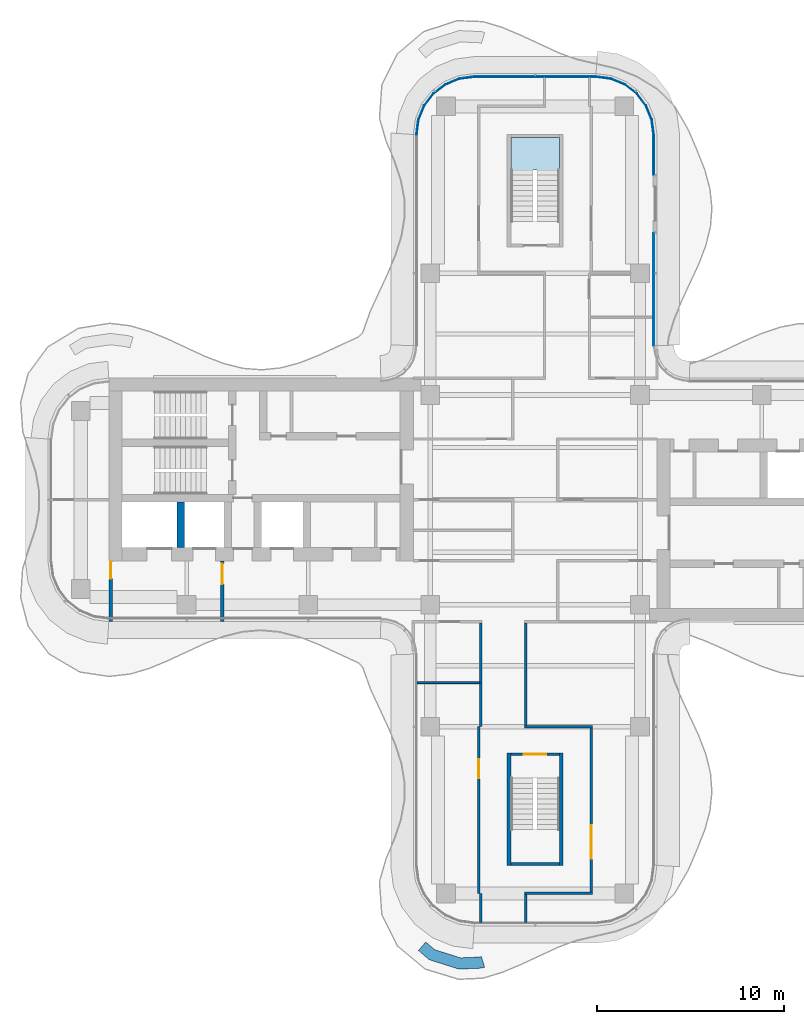
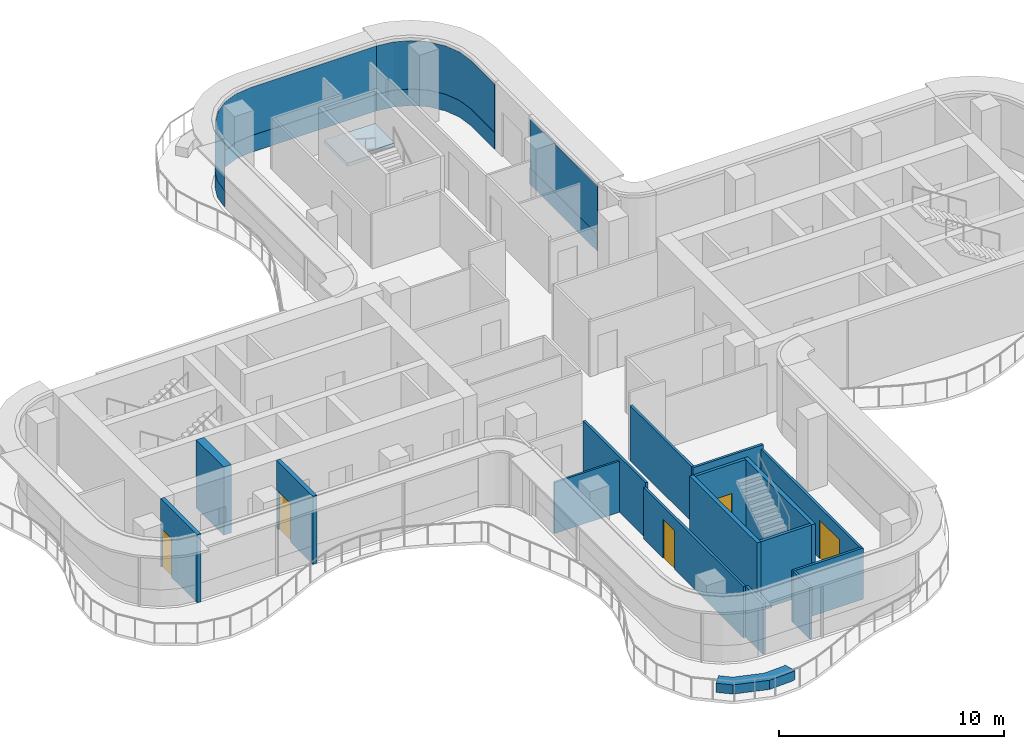
# One storey, part 10 of 15: 17 walls, 6 plates, 5 doors, 1 slab, 5 openings, 4 elements without a shape of their own.
"""IFC4 building model written with IfcOpenShell, lengths in metres."""

from ifc_helpers import new_model, si_unit, direction, frame, frame_2d, origin, place, context, subcontext, project, spatial, polyline, rectangle, outline, extrude, source, transform, mapped, material, layer, layer_set, type_object, element, fill, aggregate, save


model = new_model("IFC4")

# Units and contexts
model_context = context("Model", 3, precision=1e-05, world=origin(), true_north=direction((0.0, 1.0)))
body_context = subcontext(model_context, "Body", "Model", "MODEL_VIEW")
ifc_project = project(units=[si_unit("LENGTHUNIT", "METRE"), si_unit("AREAUNIT", "SQUARE_METRE"), si_unit("VOLUMEUNIT", "CUBIC_METRE"), si_unit("PLANEANGLEUNIT", "RADIAN"), si_unit("MASSUNIT", "GRAM", prefix="KILO")], contexts=[model_context])

# Site, building, storey
site_placement = place(None, origin())
site = spatial("IfcSite", under=ifc_project, at=site_placement, CompositionType="ELEMENT")
building_placement = place(site_placement, origin())
building = spatial("IfcBuilding", under=site, at=building_placement, Name="Trellis Farm Tower", CompositionType="ELEMENT")
storey_placement = place(building_placement, frame((0.0, 0.0, 287.199951171875)))
storey = spatial("IfcBuildingStorey", under=building, at=storey_placement, Name="L64", CompositionType="ELEMENT", Elevation=287.199951171875)

# Stair, slab
ifc_material_1 = material(Name="Concrete C50/60", Category="concrete")
stair_type = type_object("IfcStairType", Name="CORE EXIT STAIR 22 RISERS 177 MM", PredefinedType="HALF_TURN_STAIR", material=ifc_material_1)
placement_1 = place(storey_placement, origin())
stair = element("IfcStair", 1, at=placement_1, inside=storey, type_object=stair_type, Name="Exit stair N", PredefinedType="HALF_TURN_STAIR")
ifc_layer_1 = layer(ifc_material_1, 0.18994140625)
ifc_layer_set_1 = layer_set([ifc_layer_1], Name="CORE STAIR LANDING 190 CONCRETE C50/60")
slab_type = type_object("IfcSlabType", Name="CORE STAIR LANDING 190 CONCRETE C50/60", PredefinedType="LANDING", material=ifc_layer_set_1)
shared_shape_1 = source(origin(), body_context, "Body", "SweptSolid", [
    extrude(outline(polyline([(-0.10009765625, 17.27197265625), (-1.300048828125, 17.27197265625), (-1.300048828125, 17.60009765625), (-1.300048828125, 19.35009765625), (1.300048828125, 19.35009765625), (1.300048828125, 17.60009765625), (1.300048828125, 17.590087890625), (0.10009765625, 17.590087890625), (0.10009765625, 17.60009765625), (-0.10009765625, 17.60009765625), (-0.10009765625, 17.27197265625)])), origin(), (0.0, 0.0, 1.0), 0.18994140625),
])
slab_placement = place(storey_placement, frame((0.0, 0.0, 1.760009765625)))
slab = element("IfcSlab", 2, at=slab_placement, type_object=slab_type, Name="STN landing 1", PredefinedType="LANDING", context=body_context, shape_type="MappedRepresentation", body=[
    mapped(shared_shape_1, transform((0.0, 0.0, 0.0))),
])
aggregate(stair, [slab])

# Curtain wall, plates
ifc_material_2 = material(Name="Aluminium and glass curtain wall", Category="aluminium")
ifc_layer_2 = layer(ifc_material_2, 0.18994140625)
ifc_layer_set_2 = layer_set([ifc_layer_2], Name="RIBBON CURTAIN WALL CW1")
curtain_wall_type = type_object("IfcCurtainWallType", Name="RIBBON CURTAIN WALL CW1", PredefinedType="NOTDEFINED", material=ifc_layer_set_2)
curtain_wall_1 = element("IfcCurtainWall", 3, at=placement_1, inside=storey, type_object=curtain_wall_type, Name="CW1 010", PredefinedType="NOTDEFINED")
ifc_material_3 = material(Name="Clear insulated glass", Category="glass")
ifc_layer_3 = layer(ifc_material_3, 0.0400390625)
ifc_layer_set_3 = layer_set([ifc_layer_3], Name="CW1 GLASS PANEL 40")
plate_type_1 = type_object("IfcPlateType", Name="CW1 GLASS PANEL 40", PredefinedType="CURTAIN_PANEL", material=ifc_layer_set_3)
shared_shape_2 = source(origin(), body_context, "Body", "SweptSolid", [
    extrude(outline(polyline([(3.240234375, 22.60009765625), (-3.240234375, 22.60009765625), (-4.052001953125, 22.4931640625), (-4.79931640625, 22.18359375), (-5.441162109375, 21.691162109375), (-5.93359375, 21.04931640625), (-6.2431640625, 20.302001953125), (-6.35009765625, 19.490234375), (-6.31005859375, 19.487548828125), (-6.2041015625, 20.29150390625), (-5.898681640625, 21.029296875), (-5.41259765625, 21.66259765625), (-4.779296875, 22.148681640625), (-4.04150390625, 22.4541015625), (-3.237548828125, 22.56005859375), (3.237548828125, 22.56005859375), (3.240234375, 22.60009765625)])), origin(), (0.0, 0.0, 1.0), 2.619873046875),
])
placement_2 = place(storey_placement, frame((0.0, 0.0, 0.900146484375)))
plate_1 = element("IfcPlate", 4, at=placement_2, type_object=plate_type_1, Name="PL1 010", PredefinedType="CURTAIN_PANEL", context=body_context, shape_type="MappedRepresentation", body=[
    mapped(shared_shape_2, transform((0.0, 0.0, 0.0))),
])
ifc_material_4 = material(Name="Sandstone faced insulated panel", Category="masonry")
ifc_layer_4 = layer(ifc_material_4, 0.050048828125)
ifc_layer_set_4 = layer_set([ifc_layer_4], Name="CW1 STONE SPANDREL PANEL 50")
plate_type_2 = type_object("IfcPlateType", Name="CW1 STONE SPANDREL PANEL 50", PredefinedType="CURTAIN_PANEL", material=ifc_layer_set_4)
shared_shape_3 = source(origin(), body_context, "Body", "SweptSolid", [
    extrude(outline(polyline([(3.240234375, 22.60009765625), (-3.240234375, 22.60009765625), (-4.052001953125, 22.4931640625), (-4.79931640625, 22.18359375), (-5.441162109375, 21.691162109375), (-5.93359375, 21.04931640625), (-6.2431640625, 20.302001953125), (-6.35009765625, 19.490234375), (-6.300048828125, 19.48681640625), (-6.1943359375, 20.2890625), (-5.889892578125, 21.024169921875), (-5.405517578125, 21.655517578125), (-4.774169921875, 22.139892578125), (-4.0390625, 22.4443359375), (-3.23681640625, 22.550048828125), (3.23681640625, 22.550048828125), (3.240234375, 22.60009765625)])), origin(), (0.0, 0.0, 1.0), 0.900146484375),
])
plate_2 = element("IfcPlate", 5, at=placement_1, type_object=plate_type_2, Name="PS1 010", PredefinedType="CURTAIN_PANEL", context=body_context, shape_type="MappedRepresentation", body=[
    mapped(shared_shape_3, transform((0.0, 0.0, 0.0))),
])
aggregate(curtain_wall_1, [plate_1, plate_2])

curtain_wall_2 = element("IfcCurtainWall", 6, at=placement_1, inside=storey, type_object=curtain_wall_type, Name="CW1 008", PredefinedType="NOTDEFINED")
shared_shape_4 = source(origin(), body_context, "Body", "SweptSolid", [
    extrude(outline(polyline([(6.35009765625, 8.2265625), (6.35009765625, 14.239990234375), (6.31005859375, 14.239990234375), (6.31005859375, 8.22509765625), (6.35009765625, 8.2265625)])), origin(), (0.0, 0.0, 1.0), 2.619873046875),
])
plate_3 = element("IfcPlate", 7, at=placement_2, type_object=plate_type_1, Name="PL1 008", PredefinedType="CURTAIN_PANEL", context=body_context, shape_type="MappedRepresentation", body=[
    mapped(shared_shape_4, transform((0.0, 0.0, 0.0))),
])
shared_shape_5 = source(origin(), body_context, "Body", "SweptSolid", [
    extrude(outline(polyline([(6.35009765625, 8.2265625), (6.35009765625, 14.239990234375), (6.300048828125, 14.239990234375), (6.300048828125, 8.224853515625), (6.35009765625, 8.2265625)])), origin(), (0.0, 0.0, 1.0), 0.900146484375),
])
plate_4 = element("IfcPlate", 8, at=placement_1, type_object=plate_type_2, Name="PS1 008", PredefinedType="CURTAIN_PANEL", context=body_context, shape_type="MappedRepresentation", body=[
    mapped(shared_shape_5, transform((0.0, 0.0, 0.0))),
])
aggregate(curtain_wall_2, [plate_3, plate_4])

curtain_wall_3 = element("IfcCurtainWall", 9, at=placement_1, inside=storey, type_object=curtain_wall_type, Name="CW1 009", PredefinedType="NOTDEFINED")
shared_shape_6 = source(origin(), body_context, "Body", "SweptSolid", [
    extrude(outline(polyline([(6.35009765625, 17.360107421875), (6.35009765625, 19.490234375), (6.2431640625, 20.302001953125), (5.93359375, 21.04931640625), (5.441162109375, 21.691162109375), (4.79931640625, 22.18359375), (4.052001953125, 22.4931640625), (3.240234375, 22.60009765625), (3.237548828125, 22.56005859375), (4.04150390625, 22.4541015625), (4.779296875, 22.148681640625), (5.41259765625, 21.66259765625), (5.898681640625, 21.029296875), (6.2041015625, 20.29150390625), (6.31005859375, 19.487548828125), (6.31005859375, 17.360107421875), (6.35009765625, 17.360107421875)])), origin(), (0.0, 0.0, 1.0), 2.619873046875),
])
plate_5 = element("IfcPlate", 10, at=placement_2, type_object=plate_type_1, Name="PL1 009", PredefinedType="CURTAIN_PANEL", context=body_context, shape_type="MappedRepresentation", body=[
    mapped(shared_shape_6, transform((0.0, 0.0, 0.0))),
])
shared_shape_7 = source(origin(), body_context, "Body", "SweptSolid", [
    extrude(outline(polyline([(6.35009765625, 17.360107421875), (6.35009765625, 19.490234375), (6.2431640625, 20.302001953125), (5.93359375, 21.04931640625), (5.441162109375, 21.691162109375), (4.79931640625, 22.18359375), (4.052001953125, 22.4931640625), (3.240234375, 22.60009765625), (3.23681640625, 22.550048828125), (4.0390625, 22.4443359375), (4.774169921875, 22.139892578125), (5.405517578125, 21.655517578125), (5.889892578125, 21.024169921875), (6.1943359375, 20.2890625), (6.300048828125, 19.48681640625), (6.300048828125, 17.360107421875), (6.35009765625, 17.360107421875)])), origin(), (0.0, 0.0, 1.0), 0.900146484375),
])
plate_6 = element("IfcPlate", 11, at=placement_1, type_object=plate_type_2, Name="PS1 009", PredefinedType="CURTAIN_PANEL", context=body_context, shape_type="MappedRepresentation", body=[
    mapped(shared_shape_7, transform((0.0, 0.0, 0.0))),
])
aggregate(curtain_wall_3, [plate_5, plate_6])

# Walls
ifc_material_5 = material(Name="Sandstone faced masonry planter", Category="masonry")
ifc_layer_5 = layer(ifc_material_5, 0.60009765625)
ifc_layer_set_5 = layer_set([ifc_layer_5], Name="PLANTER BED 600")
wall_type_1 = type_object("IfcWallType", Name="PLANTER BED 600", PredefinedType="USERDEFINED", material=ifc_layer_set_5)
element("IfcWall", 12, at=placement_1, inside=storey, type_object=wall_type_1, Name="PLANTER bed", ObjectType="PLANTER", PredefinedType="USERDEFINED", context=body_context, shape_type="SweptSolid", body=[
    extrude(outline(polyline([(-4.053466796875, -25.044189453125), (-5.646728515625, -24.541748046875), (-6.227783203125, -24.049072265625), (-5.83984375, -23.591552734375), (-5.35107421875, -24.005859375), (-3.974609375, -24.439697265625), (-2.96728515625, -24.393310546875), (-2.868408203125, -24.363037109375), (-2.693115234375, -24.93701171875), (-2.864013671875, -24.989013671875), (-4.053466796875, -25.044189453125)])), origin(), (0.0, 0.0, 1.0), 0.5),
])
ifc_layer_6 = layer(ifc_material_1, 0.39990234375)
ifc_layer_set_6 = layer_set([ifc_layer_6], Name="CORE INNER WALL 400 CONCRETE C50/60")
wall_type_2 = type_object("IfcWallType", Name="CORE INNER WALL 400 CONCRETE C50/60", PredefinedType="SHEAR", material=ifc_layer_set_6)
shared_shape_8 = source(origin(), body_context, "Body", "SweptSolid", [
    extrude(rectangle(XDim=2.449951171875, YDim=0.39990234375, at=frame_2d((1.22509765625, 0.0))), origin(), (0.0, 0.0, 1.0), 3.699951171875),
])
wall_2_placement = place(storey_placement, frame((-18.89990234375, -0.10009765625, 0.0), z_axis=(0.0, 0.0, 1.0), x_axis=(0.0, -1.0, 0.0)))
element("IfcWall", 13, at=wall_2_placement, inside=storey, type_object=wall_type_2, Name="Core wall", PredefinedType="SHEAR", context=body_context, shape_type="MappedRepresentation", body=[
    mapped(shared_shape_8, transform((0.0, 0.0, 0.0))),
])

# Wall, opening, door
ifc_material_6 = material(Name="Masonry blockwork", Category="masonry")
ifc_layer_7 = layer(ifc_material_6, 0.199951171875)
ifc_layer_set_7 = layer_set([ifc_layer_7], Name="FIRE LOBBY PARTITION 200 BLOCKWORK")
wall_type_3 = type_object("IfcWallType", Name="FIRE LOBBY PARTITION 200 BLOCKWORK", PredefinedType="PARTITIONING", material=ifc_layer_set_7)
shared_shape_9 = source(origin(), body_context, "Body", "SweptSolid", [
    extrude(rectangle(XDim=3.25, YDim=0.199951171875, at=frame_2d((1.625, 0.0))), origin(), (0.0, 0.0, 1.0), 3.699951171875),
])
wall_3_placement = place(storey_placement, frame((-16.699951171875, -3.25, 0.0), z_axis=(0.0, 0.0, 1.0), x_axis=(0.0, -1.0, 0.0)))
wall_3 = element("IfcWall", 14, at=wall_3_placement, inside=storey, type_object=wall_type_3, Name="Fire-fighting lobby partition", PredefinedType="PARTITIONING", context=body_context, shape_type="MappedRepresentation", body=[
    mapped(shared_shape_9, transform((0.0, 0.0, 0.0))),
])
shared_shape_10 = source(origin(), body_context, "Body", "SweptSolid", [
    extrude(rectangle(XDim=1.10009765625, YDim=2.10009765625, at=frame_2d((0.550048828125, 1.050048828125))), frame((0.0, 0.110107421875, 0.0), z_axis=(0.0, -1.0, 0.0), x_axis=(1.0, 0.0, 0.0)), (0.0, 0.0, 1.0), 0.22021484375),
])
opening_1_placement = place(wall_3_placement, frame((0.14990234375, 0.0, 0.0)))
opening_1 = element("IfcOpeningElement", 15, at=opening_1_placement, cuts=wall_3, Name="Opening DC93", PredefinedType="OPENING", context=body_context, shape_type="MappedRepresentation", body=[
    mapped(shared_shape_10, transform((0.0, 0.0, 0.0))),
])
ifc_material_7 = material(Name="Steel", Category="steel")
door_type_1 = type_object("IfcDoorType", Name="CORE FIRE DOOR 1100 X 2100", OperationType="NOTDEFINED", PredefinedType="DOOR", material=ifc_material_7)
shared_shape_11 = source(origin(), body_context, "Body", "SweptSolid", [
    extrude(rectangle(XDim=1.10009765625, YDim=2.10009765625, at=frame_2d((0.550048828125, 1.050048828125))), frame((0.0, 0.02490234375, 0.0), z_axis=(0.0, -1.0, 0.0), x_axis=(1.0, 0.0, 0.0)), (0.0, 0.0, 1.0), 0.050048828125),
])
door_1_placement = place(opening_1_placement, origin())
door_1 = element("IfcDoor", 16, at=door_1_placement, inside=storey, type_object=door_type_1, Name="Core door", OperationType="SINGLE_SWING_RIGHT", OverallHeight=2.10009765625, OverallWidth=1.10009765625, PredefinedType="DOOR", context=body_context, shape_type="MappedRepresentation", body=[
    mapped(shared_shape_11, transform((0.0, 0.0, 0.0))),
])
fill(opening_1, door_1)

wall_4_placement = place(storey_placement, frame((-22.64990234375, -3.25, 0.0), z_axis=(0.0, 0.0, 1.0), x_axis=(0.0, -1.0, 0.0)))
wall_4 = element("IfcWall", 17, at=wall_4_placement, inside=storey, type_object=wall_type_3, Name="Fire-fighting lobby partition", PredefinedType="PARTITIONING", context=body_context, shape_type="MappedRepresentation", body=[
    mapped(shared_shape_9, transform((0.0, 0.0, 0.0))),
])
shared_shape_12 = source(origin(), body_context, "Body", "SweptSolid", [
    extrude(rectangle(XDim=0.89990234375, YDim=2.10009765625, at=frame_2d((0.449951171875, 1.050048828125))), frame((0.0, 0.110107421875, 0.0), z_axis=(0.0, -1.0, 0.0), x_axis=(1.0, 0.0, 0.0)), (0.0, 0.0, 1.0), 0.22021484375),
])
opening_2_placement = place(wall_4_placement, frame((0.050048828125, 0.0, 0.0)))
opening_2 = element("IfcOpeningElement", 18, at=opening_2_placement, cuts=wall_4, Name="Opening DC94", PredefinedType="OPENING", context=body_context, shape_type="MappedRepresentation", body=[
    mapped(shared_shape_12, transform((0.0, 0.0, 0.0))),
])
door_type_2 = type_object("IfcDoorType", Name="CORE FIRE DOOR 900 X 2100", OperationType="NOTDEFINED", PredefinedType="DOOR", material=ifc_material_7)
shared_shape_13 = source(origin(), body_context, "Body", "SweptSolid", [
    extrude(rectangle(XDim=0.89990234375, YDim=2.10009765625, at=frame_2d((0.449951171875, 1.050048828125))), frame((0.0, 0.02490234375, 0.0), z_axis=(0.0, -1.0, 0.0), x_axis=(1.0, 0.0, 0.0)), (0.0, 0.0, 1.0), 0.050048828125),
])
door_2_placement = place(opening_2_placement, origin())
door_2 = element("IfcDoor", 19, at=door_2_placement, inside=storey, type_object=door_type_2, Name="Core door", OperationType="SINGLE_SWING_RIGHT", OverallHeight=2.10009765625, OverallWidth=0.89990234375, PredefinedType="DOOR", context=body_context, shape_type="MappedRepresentation", body=[
    mapped(shared_shape_13, transform((0.0, 0.0, 0.0))),
])
fill(opening_2, door_2)

# Walls
ifc_layer_8 = layer(ifc_material_1, 0.199951171875)
ifc_layer_set_8 = layer_set([ifc_layer_8], Name="CORE STAIR ENCLOSURE WALL 200 CONCRETE C50/60")
wall_type_4 = type_object("IfcWallType", Name="CORE STAIR ENCLOSURE WALL 200 CONCRETE C50/60", PredefinedType="SHEAR", material=ifc_layer_set_8)
shared_shape_14 = source(origin(), body_context, "Body", "SweptSolid", [
    extrude(rectangle(XDim=6.0, YDim=0.199951171875, at=frame_2d((3.0, 0.0))), origin(), (0.0, 0.0, 1.0), 3.699951171875),
])
for number, where, z_axis, x_axis, name in (
    (20, (1.39990234375, -13.5, 0.0), (0.0, 0.0, 1.0), (0.0, -1.0, 0.0), "Stair enclosure wall"),
    (21, (-1.39990234375, -13.5, 0.0), (0.0, 0.0, 1.0), (0.0, -1.0, 0.0), "Stair enclosure wall"),
):
    element("IfcWall", number, at=place(storey_placement, frame(where, z_axis=z_axis, x_axis=x_axis)), inside=storey, type_object=wall_type_4, Name=name, PredefinedType="SHEAR", context=body_context, shape_type="MappedRepresentation", body=[
        mapped(shared_shape_14, transform((0.0, 0.0, 0.0))),
    ])

# Wall, opening, door
ifc_layer_9 = layer(ifc_material_1, 0.14990234375)
ifc_layer_set_9 = layer_set([ifc_layer_9], Name="CORE STAIR ENCLOSURE WALL 150 CONCRETE C50/60")
wall_type_5 = type_object("IfcWallType", Name="CORE STAIR ENCLOSURE WALL 150 CONCRETE C50/60", PredefinedType="SHEAR", material=ifc_layer_set_9)
shared_shape_15 = source(origin(), body_context, "Body", "SweptSolid", [
    extrude(rectangle(XDim=2.60009765625, YDim=0.14990234375, at=frame_2d((1.300048828125, 0.0))), origin(), (0.0, 0.0, 1.0), 3.699951171875),
])
wall_5_placement = place(storey_placement, frame((1.300048828125, -13.574951171875, 0.0), z_axis=(0.0, 0.0, 1.0), x_axis=(-1.0, 0.0, 0.0)))
wall_5 = element("IfcWall", 22, at=wall_5_placement, inside=storey, type_object=wall_type_5, Name="Stair enclosure wall", PredefinedType="SHEAR", context=body_context, shape_type="MappedRepresentation", body=[
    mapped(shared_shape_15, transform((0.0, 0.0, 0.0))),
])
shared_shape_16 = source(origin(), body_context, "Body", "SweptSolid", [
    extrude(rectangle(XDim=1.199951171875, YDim=2.10009765625, at=frame_2d((0.60009765625, 1.050048828125))), frame((0.0, 0.0849609375, 0.0), z_axis=(0.0, -1.0, 0.0), x_axis=(1.0, 0.0, 0.0)), (0.0, 0.0, 1.0), 0.169921875),
])
opening_3_placement = place(wall_5_placement, frame((0.699951171875, 0.0, 0.0)))
opening_3 = element("IfcOpeningElement", 23, at=opening_3_placement, cuts=wall_5, Name="Opening DC174", PredefinedType="OPENING", context=body_context, shape_type="MappedRepresentation", body=[
    mapped(shared_shape_16, transform((0.0, 0.0, 0.0))),
])
door_type_3 = type_object("IfcDoorType", Name="CORE FIRE DOOR 1200 X 2100", OperationType="NOTDEFINED", PredefinedType="DOOR", material=ifc_material_7)
shared_shape_17 = source(origin(), body_context, "Body", "SweptSolid", [
    extrude(rectangle(XDim=1.199951171875, YDim=2.10009765625, at=frame_2d((0.60009765625, 1.050048828125))), frame((0.0, 0.02490234375, 0.0), z_axis=(0.0, -1.0, 0.0), x_axis=(1.0, 0.0, 0.0)), (0.0, 0.0, 1.0), 0.050048828125),
])
door_3_placement = place(opening_3_placement, origin())
door_3 = element("IfcDoor", 24, at=door_3_placement, inside=storey, type_object=door_type_3, Name="Core door", OperationType="SINGLE_SWING_RIGHT", OverallHeight=2.10009765625, OverallWidth=1.199951171875, PredefinedType="DOOR", context=body_context, shape_type="MappedRepresentation", body=[
    mapped(shared_shape_17, transform((0.0, 0.0, 0.0))),
])
fill(opening_3, door_3)

# Walls
wall_6_placement = place(storey_placement, frame((1.300048828125, -19.425048828125, 0.0), z_axis=(0.0, 0.0, 1.0), x_axis=(-1.0, 0.0, 0.0)))
element("IfcWall", 25, at=wall_6_placement, inside=storey, type_object=wall_type_5, Name="Stair enclosure wall", PredefinedType="SHEAR", context=body_context, shape_type="MappedRepresentation", body=[
    mapped(shared_shape_15, transform((0.0, 0.0, 0.0))),
])
ifc_material_8 = material(Name="Plasterboard on steel studs, mineral wool", Category="steel")
ifc_layer_10 = layer(ifc_material_8, 0.125)
ifc_layer_set_10 = layer_set([ifc_layer_10], Name="PARTITION 125 STUD EI 60")
wall_type_6 = type_object("IfcWallType", Name="PARTITION 125 STUD EI 60", PredefinedType="PARTITIONING", material=ifc_layer_set_10)
shared_shape_18 = source(origin(), body_context, "Body", "SweptSolid", [
    extrude(rectangle(XDim=5.47509765625, YDim=0.125, at=frame_2d((2.737548828125, 0.0))), origin(), (0.0, 0.0, 1.0), 2.99658203125),
])
wall_7_placement = place(storey_placement, frame((-0.5, -6.5625, 0.0), z_axis=(0.0, 0.0, 1.0), x_axis=(0.0, -1.0, 0.0)))
element("IfcWall", 26, at=wall_7_placement, inside=storey, type_object=wall_type_6, Name="Partition PW1", PredefinedType="PARTITIONING", context=body_context, shape_type="MappedRepresentation", body=[
    mapped(shared_shape_18, transform((0.0, 0.0, 0.0))),
])
shared_shape_19 = source(origin(), body_context, "Body", "SweptSolid", [
    extrude(rectangle(XDim=5.53759765625, YDim=0.125, at=frame_2d((2.768798828125, 0.0))), origin(), (0.0, 0.0, 1.0), 2.99658203125),
])
wall_8_placement = place(storey_placement, frame((-2.89990234375, -12.10009765625, 0.0), z_axis=(0.0, 0.0, 1.0), x_axis=(0.0, 1.0, 0.0)))
element("IfcWall", 27, at=wall_8_placement, inside=storey, type_object=wall_type_6, Name="Partition PW1", PredefinedType="PARTITIONING", context=body_context, shape_type="MappedRepresentation", body=[
    mapped(shared_shape_19, transform((0.0, 0.0, 0.0))),
])
shared_shape_20 = source(origin(), body_context, "Body", "SweptSolid", [
    extrude(rectangle(XDim=3.625, YDim=0.125, at=frame_2d((1.8125, 0.0))), origin(), (0.0, 0.0, 1.0), 2.99658203125),
])
wall_9_placement = place(storey_placement, frame((-0.5625, -12.10009765625, 0.0), z_axis=(0.0, 0.0, 1.0), x_axis=(1.0, 0.0, 0.0)))
element("IfcWall", 28, at=wall_9_placement, inside=storey, type_object=wall_type_6, Name="Partition PW1", PredefinedType="PARTITIONING", context=body_context, shape_type="MappedRepresentation", body=[
    mapped(shared_shape_20, transform((0.0, 0.0, 0.0))),
])

# Wall, opening, door
shared_shape_21 = source(origin(), body_context, "Body", "SweptSolid", [
    extrude(rectangle(XDim=8.77490234375, YDim=0.125, at=frame_2d((4.387451171875, 0.0))), origin(), (0.0, 0.0, 1.0), 2.780029296875),
])
wall_10_placement = place(storey_placement, frame((3.0, -12.16259765625, 0.0), z_axis=(0.0, 0.0, 1.0), x_axis=(0.0, -1.0, 0.0)))
wall_10 = element("IfcWall", 29, at=wall_10_placement, inside=storey, type_object=wall_type_6, Name="Partition PW1", PredefinedType="PARTITIONING", context=body_context, shape_type="MappedRepresentation", body=[
    mapped(shared_shape_21, transform((0.0, 0.0, 0.0))),
])
shared_shape_22 = source(origin(), body_context, "Body", "SweptSolid", [
    extrude(rectangle(XDim=1.800048828125, YDim=2.10009765625, at=frame_2d((0.89990234375, 1.050048828125))), frame((0.0, 0.072509765625, 0.0), z_axis=(0.0, -1.0, 0.0), x_axis=(1.0, 0.0, 0.0)), (0.0, 0.0, 1.0), 0.14501953125),
])
opening_4_placement = place(wall_10_placement, frame((5.1875, 0.0, 0.0)))
opening_4 = element("IfcOpeningElement", 30, at=opening_4_placement, cuts=wall_10, Name="Opening D201", PredefinedType="OPENING", context=body_context, shape_type="MappedRepresentation", body=[
    mapped(shared_shape_22, transform((0.0, 0.0, 0.0))),
])
ifc_material_9 = material(Name="Fire-rated timber door leaf in a hollow metal frame", Category="wood")
door_type_4 = type_object("IfcDoorType", Name="DOOR PAIR 1800x2100 FD30S", OperationType="NOTDEFINED", PredefinedType="DOOR", material=ifc_material_9)
shared_shape_23 = source(origin(), body_context, "Body", "SweptSolid", [
    extrude(rectangle(XDim=1.800048828125, YDim=2.10009765625, at=frame_2d((0.89990234375, 1.050048828125))), frame((0.0, 0.02490234375, 0.0), z_axis=(0.0, -1.0, 0.0), x_axis=(1.0, 0.0, 0.0)), (0.0, 0.0, 1.0), 0.050048828125),
])
door_4_placement = place(opening_4_placement, origin())
door_4 = element("IfcDoor", 31, at=door_4_placement, inside=storey, type_object=door_type_4, Name="Door D201", OperationType="DOUBLE_DOOR_SINGLE_SWING", OverallHeight=2.10009765625, OverallWidth=1.800048828125, PredefinedType="DOOR", context=body_context, shape_type="MappedRepresentation", body=[
    mapped(shared_shape_23, transform((0.0, 0.0, 0.0))),
])
fill(opening_4, door_4)

# Walls
shared_shape_24 = source(origin(), body_context, "Body", "SweptSolid", [
    extrude(rectangle(XDim=1.487548828125, YDim=0.125, at=frame_2d((0.74365234375, 0.0))), origin(), (0.0, 0.0, 1.0), 2.780029296875),
])
wall_11_placement = place(storey_placement, frame((-0.5, -21.0625, 0.0), z_axis=(0.0, 0.0, 1.0), x_axis=(0.0, -1.0, 0.0)))
element("IfcWall", 32, at=wall_11_placement, inside=storey, type_object=wall_type_6, Name="Partition PW1", PredefinedType="PARTITIONING", context=body_context, shape_type="MappedRepresentation", body=[
    mapped(shared_shape_24, transform((0.0, 0.0, 0.0))),
])
shared_shape_25 = source(origin(), body_context, "Body", "SweptSolid", [
    extrude(rectangle(XDim=1.550048828125, YDim=0.125, at=frame_2d((0.77490234375, 0.0))), origin(), (0.0, 0.0, 1.0), 2.780029296875),
])
wall_12_placement = place(storey_placement, frame((-2.89990234375, -22.550048828125, 0.0), z_axis=(0.0, 0.0, 1.0), x_axis=(0.0, 1.0, 0.0)))
element("IfcWall", 33, at=wall_12_placement, inside=storey, type_object=wall_type_6, Name="Partition PW1", PredefinedType="PARTITIONING", context=body_context, shape_type="MappedRepresentation", body=[
    mapped(shared_shape_25, transform((0.0, 0.0, 0.0))),
])

# Wall, opening, door
shared_shape_26 = source(origin(), body_context, "Body", "SweptSolid", [
    extrude(rectangle(XDim=8.89990234375, YDim=0.125, at=frame_2d((4.449951171875, 0.0))), origin(), (0.0, 0.0, 1.0), 2.780029296875),
])
wall_13_placement = place(storey_placement, frame((-3.0, -21.0, 0.0), z_axis=(0.0, 0.0, 1.0), x_axis=(0.0, 1.0, 0.0)))
wall_13 = element("IfcWall", 34, at=wall_13_placement, inside=storey, type_object=wall_type_6, Name="Partition PW1", PredefinedType="PARTITIONING", context=body_context, shape_type="MappedRepresentation", body=[
    mapped(shared_shape_26, transform((0.0, 0.0, 0.0))),
])
shared_shape_27 = source(origin(), body_context, "Body", "SweptSolid", [
    extrude(rectangle(XDim=1.0, YDim=2.10009765625, at=frame_2d((0.5, 1.050048828125))), frame((0.0, 0.072509765625, 0.0), z_axis=(0.0, -1.0, 0.0), x_axis=(1.0, 0.0, 0.0)), (0.0, 0.0, 1.0), 0.14501953125),
])
opening_5_placement = place(wall_13_placement, frame((6.14990234375, 0.0, 0.0)))
opening_5 = element("IfcOpeningElement", 35, at=opening_5_placement, cuts=wall_13, Name="Opening D101", PredefinedType="OPENING", context=body_context, shape_type="MappedRepresentation", body=[
    mapped(shared_shape_27, transform((0.0, 0.0, 0.0))),
])
door_type_5 = type_object("IfcDoorType", Name="DOOR 1000x2100 FD30S", OperationType="NOTDEFINED", PredefinedType="DOOR", material=ifc_material_9)
shared_shape_28 = source(origin(), body_context, "Body", "SweptSolid", [
    extrude(rectangle(XDim=1.0, YDim=2.10009765625, at=frame_2d((0.5, 1.050048828125))), frame((0.0, 0.02490234375, 0.0), z_axis=(0.0, -1.0, 0.0), x_axis=(1.0, 0.0, 0.0)), (0.0, 0.0, 1.0), 0.050048828125),
])
door_5_placement = place(opening_5_placement, origin())
door_5 = element("IfcDoor", 36, at=door_5_placement, inside=storey, type_object=door_type_5, Name="Door D101", OperationType="SINGLE_SWING_RIGHT", OverallHeight=2.10009765625, OverallWidth=1.0, PredefinedType="DOOR", context=body_context, shape_type="MappedRepresentation", body=[
    mapped(shared_shape_28, transform((0.0, 0.0, 0.0))),
])
fill(opening_5, door_5)

# Walls
shared_shape_29 = source(origin(), body_context, "Body", "SweptSolid", [
    extrude(rectangle(XDim=3.625, YDim=0.125, at=frame_2d((1.8125, 0.0))), origin(), (0.0, 0.0, 1.0), 2.780029296875),
])
wall_14_placement = place(storey_placement, frame((3.0625, -21.0, 0.0), z_axis=(0.0, 0.0, 1.0), x_axis=(-1.0, 0.0, 0.0)))
element("IfcWall", 37, at=wall_14_placement, inside=storey, type_object=wall_type_6, Name="Partition PW1", PredefinedType="PARTITIONING", context=body_context, shape_type="MappedRepresentation", body=[
    mapped(shared_shape_29, transform((0.0, 0.0, 0.0))),
])
ifc_material_10 = material(Name="Plasterboard on steel studs", Category="steel")
ifc_layer_11 = layer(ifc_material_10, 0.10009765625)
ifc_layer_set_11 = layer_set([ifc_layer_11], Name="PARTITION 100 STUD EI 30")
wall_type_7 = type_object("IfcWallType", Name="PARTITION 100 STUD EI 30", PredefinedType="PARTITIONING", material=ifc_layer_set_11)
shared_shape_30 = source(origin(), body_context, "Body", "SweptSolid", [
    extrude(rectangle(XDim=3.337646484375, YDim=0.10009765625, at=frame_2d((1.6689453125, 0.0))), origin(), (0.0, 0.0, 1.0), 2.780029296875),
])
wall_15_placement = place(storey_placement, frame((-6.300048828125, -9.75, 0.0), z_axis=(0.0, 0.0, 1.0), x_axis=(1.0, 0.0, 0.0)))
element("IfcWall", 38, at=wall_15_placement, inside=storey, type_object=wall_type_7, Name="Partition PW2", PredefinedType="PARTITIONING", context=body_context, shape_type="MappedRepresentation", body=[
    mapped(shared_shape_30, transform((0.0, 0.0, 0.0))),
])

save(model, "model.ifc")
